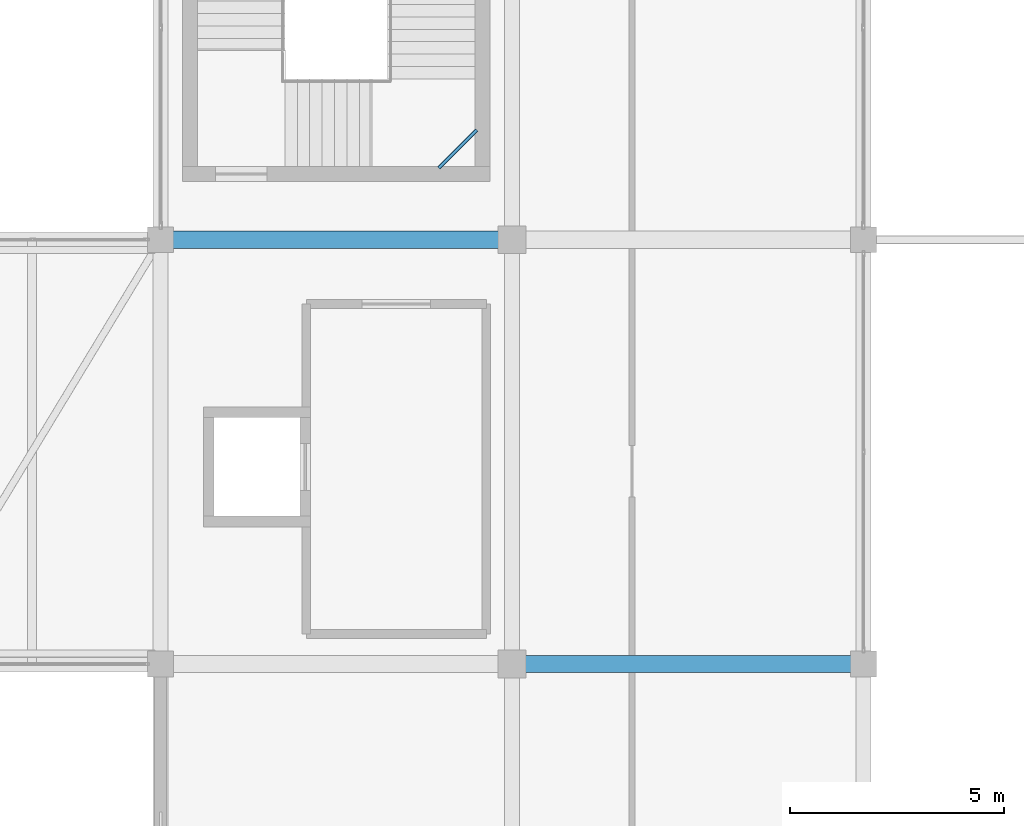
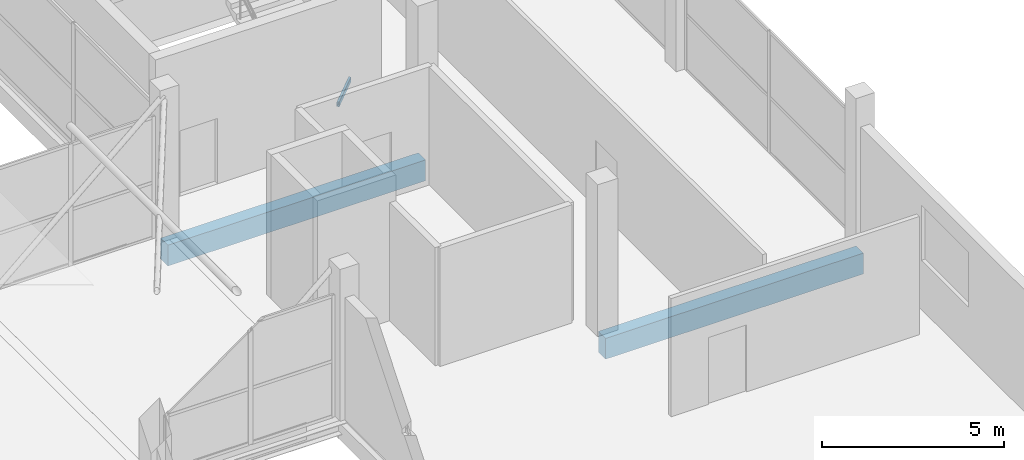
# One storey, part 15 of 58: 3 beams.
"""IFC4 building model written with IfcOpenShell, lengths in metres."""

from ifc_helpers import new_model, si_unit, direction, frame, origin, origin_2d, place, context, subcontext, project, spatial, rectangle, hollow_rectangle, extrude, material, material_profile, profile_set, type_object, element, save


model = new_model("IFC4")

# Units and contexts
model_context = context("Model", 3, precision=1e-05, world=origin(), true_north=direction((0.0, 1.0)))
body_context = subcontext(model_context, "Body", "Model", "MODEL_VIEW")
ifc_project = project(units=[si_unit("LENGTHUNIT", "METRE"), si_unit("AREAUNIT", "SQUARE_METRE"), si_unit("VOLUMEUNIT", "CUBIC_METRE"), si_unit("PLANEANGLEUNIT", "RADIAN"), si_unit("MASSUNIT", "GRAM", prefix="KILO")], contexts=[model_context])

# Site, building, storey
site_placement = place(None, origin())
site = spatial("IfcSite", under=ifc_project, at=site_placement, CompositionType="ELEMENT")
building_placement = place(site_placement, origin())
building = spatial("IfcBuilding", under=site, at=building_placement, Name="Sillaruma Civic Art Gallery", CompositionType="ELEMENT")
storey_placement = place(building_placement, frame((0.0, 0.0, 52.02001953125)))
storey = spatial("IfcBuildingStorey", under=building, at=storey_placement, Name="L10", CompositionType="ELEMENT", Elevation=52.02001953125)

# Beams
ifc_material_1 = material(Name="Concrete H35 (35 MPa)", Category="concrete")
ifc_material_profile_1 = material_profile(ifc_material_1, rectangle(XDim=0.39990234375, YDim=0.699951171875, at=origin_2d()), Name="RCB400x700")
ifc_profile_set_1 = profile_set([ifc_material_profile_1], Name="Concrete H35 (35 MPa)")
beam_type_1 = type_object("IfcBeamType", Name="BM-BEAM-RCB400x700", PredefinedType="BEAM", material=ifc_profile_set_1)
for number, where, z_axis, x_axis, name in (
    (1, (106.199951171875, 39.60009765625, -0.60009765625), (1.0, 0.0, 0.0), (0.0, 1.0, 0.0), "Beam BM-04 (L09:5:M-N)"),
    (2, (98.0, 49.5, -0.60009765625), (1.0, 0.0, 0.0), (0.0, 1.0, 0.0), "Beam BM-04 (L09:6:L-M)"),
):
    element("IfcBeam", number, at=place(storey_placement, frame(where, z_axis=z_axis, x_axis=x_axis)), inside=storey, type_object=beam_type_1, Name=name, PredefinedType="BEAM", context=body_context, shape_type="SweptSolid", body=[
        extrude(rectangle(XDim=0.39990234375, YDim=0.699951171875, at=origin_2d()), origin(), (0.0, 0.0, 1.0), 8.199951171875),
    ])
ifc_material_2 = material(Name="Structural Steel ASTM A500 Gr.C", Category="steel")
ifc_material_profile_2 = material_profile(ifc_material_2, hollow_rectangle(XDim=0.080078125, YDim=0.159912109375, WallThickness=0.008056640625, InnerFilletRadius=0.008056640625, OuterFilletRadius=0.01611328125, at=origin_2d()), Name="HSS160x80x8")
ifc_profile_set_2 = profile_set([ifc_material_profile_2], Name="Structural Steel ASTM A500 Gr.C")
beam_type_2 = type_object("IfcBeamType", Name="BM-LND-HSS160", PredefinedType="BEAM", material=ifc_profile_set_2)
beam_placement = place(storey_placement, frame((104.489990234375, 51.169921875, 1.080078125), z_axis=(0.707009791025, 0.707203758046, 0.0), x_axis=(-0.707203758046, 0.707009791025, 0.0)))
element("IfcBeam", 3, at=beam_placement, inside=storey, type_object=beam_type_2, Name="Stair Corner Landing Trimmer Beam (ST-04-L10-1)", PredefinedType="BEAM", context=body_context, shape_type="SweptSolid", body=[
    extrude(hollow_rectangle(XDim=0.080078125, YDim=0.159912109375, WallThickness=0.008056640625, InnerFilletRadius=0.008056640625, OuterFilletRadius=0.01611328125, at=origin_2d()), origin(), (0.0, 0.0, 1.0), 1.2587890625),
])

save(model, "model.ifc")
